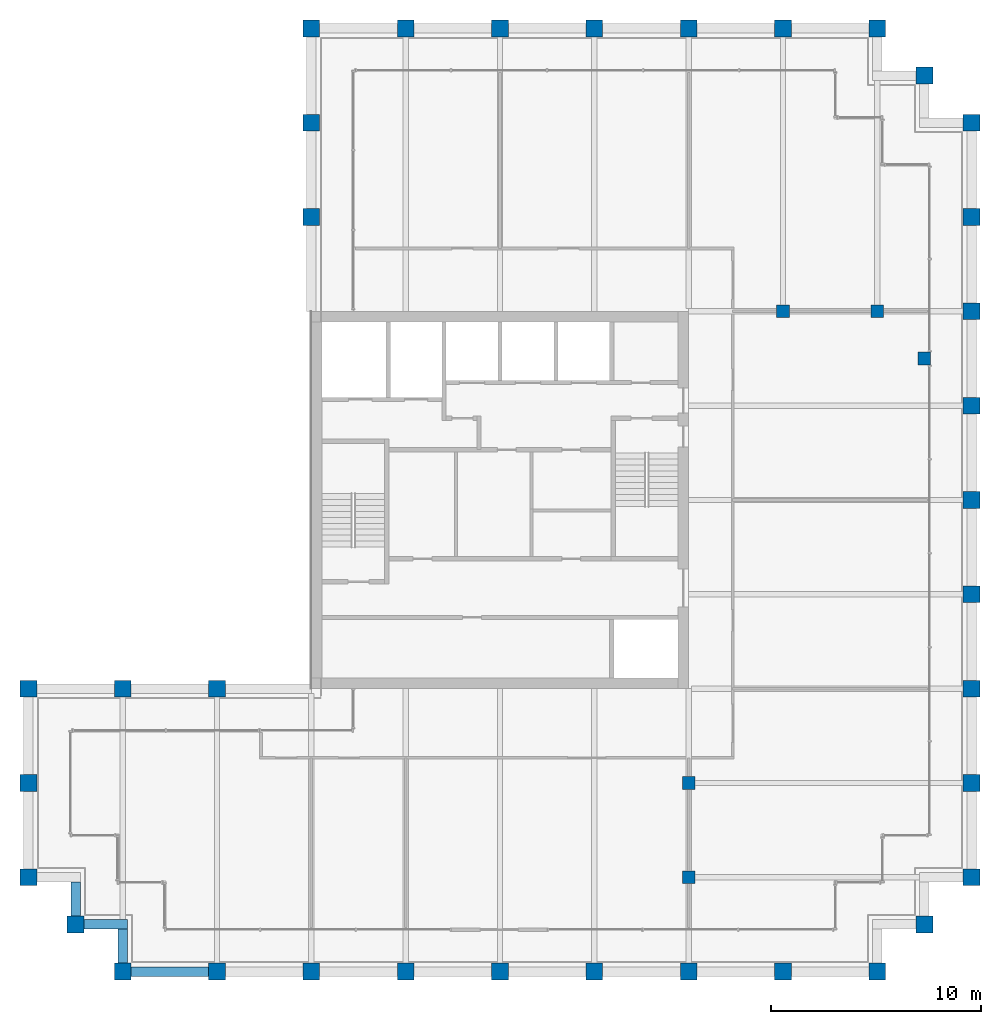
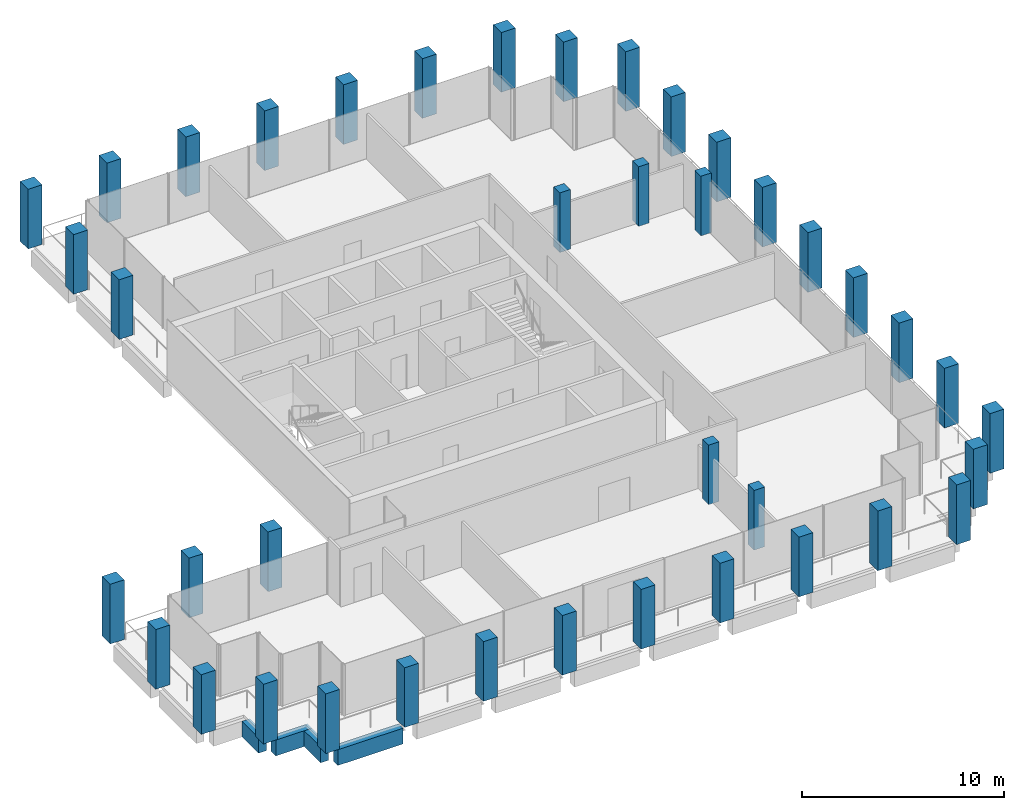
# One storey, part 1 of 30: 40 columns, 4 beams.
"""IFC4 building model written with IfcOpenShell, lengths in metres."""

from ifc_helpers import new_model, si_unit, direction, frame, origin, origin_2d, place, context, subcontext, project, spatial, rectangle, extrude, material, material_profile, profile_set, type_object, element, save


model = new_model("IFC4")

# Units and contexts
model_context = context("Model", 3, precision=1e-05, world=origin(), true_north=direction((0.0, 1.0)))
body_context = subcontext(model_context, "Body", "Model", "MODEL_VIEW")
ifc_project = project(units=[si_unit("LENGTHUNIT", "METRE"), si_unit("AREAUNIT", "SQUARE_METRE"), si_unit("VOLUMEUNIT", "CUBIC_METRE"), si_unit("PLANEANGLEUNIT", "RADIAN"), si_unit("MASSUNIT", "GRAM", prefix="KILO")], contexts=[model_context])

# Site, building, storey
site_placement = place(None, origin())
site = spatial("IfcSite", under=ifc_project, at=site_placement, CompositionType="ELEMENT")
building_placement = place(site_placement, origin())
building = spatial("IfcBuilding", under=site, at=building_placement, Name="Altepetl Exchange Towers", CompositionType="ELEMENT")
storey_placement = place(building_placement, frame((0.0, 0.0, 231.60009765625)))
storey = spatial("IfcBuildingStorey", under=building, at=storey_placement, Name="L59", CompositionType="ELEMENT", Elevation=231.60009765625)

# Columns
ifc_material_1 = material(Name="Concrete C70/85", Category="concrete")
ifc_material_profile_1 = material_profile(ifc_material_1, rectangle(XDim=0.60009765625, YDim=0.60009765625, at=origin_2d()), Name="600 x 600")
ifc_profile_set_1 = profile_set([ifc_material_profile_1], Name="Concrete C70/85")
column_type_1 = type_object("IfcColumnType", Name="Interior column 600", PredefinedType="COLUMN", material=ifc_profile_set_1)
for number, where, name in (
    (1, (58.5, 31.5, 0.0), "col:A:L59:035"),
    (2, (58.5, 36.0, 0.0), "col:A:L59:036"),
    (3, (63.0, 58.5, 0.0), "col:A:L59:037"),
    (4, (67.5, 58.5, 0.0), "col:A:L59:038"),
    (5, (69.75, 56.25, 0.0), "col:A:L59:039"),
):
    element("IfcColumn", number, at=place(storey_placement, frame(where)), inside=storey, type_object=column_type_1, Name=name, PredefinedType="COLUMN", context=body_context, shape_type="SweptSolid", body=[
        extrude(rectangle(XDim=0.60009765625, YDim=0.60009765625, at=origin_2d()), origin(), (0.0, 0.0, 1.0), 3.599853515625),
    ])
ifc_material_2 = material(Name="Concrete C70/85 precast with cantera amarilla facing", Category="concrete")
ifc_material_profile_2 = material_profile(ifc_material_2, rectangle(XDim=0.800048828125, YDim=0.800048828125, at=origin_2d()), Name="800 x 800")
ifc_profile_set_2 = profile_set([ifc_material_profile_2], Name="Concrete C70/85 precast with cantera amarilla facing")
column_type_2 = type_object("IfcColumnType", Name="Perimeter column 800 cantera amarilla", PredefinedType="COLUMN", material=ifc_profile_set_2)
for number, where, name in (
    (6, (58.5, 27.0, 0.0), "col:A:L59:006"),
    (7, (63.0, 27.0, 0.0), "col:A:L59:007"),
    (8, (67.5, 27.0, 0.0), "col:A:L59:008"),
    (9, (69.75, 29.25, 0.0), "col:A:L59:009"),
    (10, (72.0, 31.5, 0.0), "col:A:L59:010"),
    (11, (72.0, 36.0, 0.0), "col:A:L59:011"),
    (12, (72.0, 40.5, 0.0), "col:A:L59:012"),
    (13, (72.0, 45.0, 0.0), "col:A:L59:013"),
    (14, (72.0, 49.5, 0.0), "col:A:L59:014"),
    (15, (72.0, 54.0, 0.0), "col:A:L59:015"),
):
    element("IfcColumn", number, at=place(storey_placement, frame(where)), inside=storey, type_object=column_type_2, Name=name, PredefinedType="COLUMN", context=body_context, shape_type="SweptSolid", body=[
        extrude(rectangle(XDim=0.800048828125, YDim=0.800048828125, at=origin_2d()), origin(), (0.0, 0.0, 1.0), 3.599853515625),
    ])
ifc_material_3 = material(Name="Concrete C70/85 precast with cantera blanca facing", Category="concrete")
ifc_material_profile_3 = material_profile(ifc_material_3, rectangle(XDim=0.800048828125, YDim=0.800048828125, at=origin_2d()), Name="800 x 800")
ifc_profile_set_3 = profile_set([ifc_material_profile_3], Name="Concrete C70/85 precast with cantera blanca facing")
column_type_3 = type_object("IfcColumnType", Name="Perimeter column 800 cantera blanca", PredefinedType="COLUMN", material=ifc_profile_set_3)
for number, where, name in (
    (16, (31.5, 27.0, 0.0), "col:A:L59:000"),
    (17, (36.0, 27.0, 0.0), "col:A:L59:001"),
    (18, (40.5, 27.0, 0.0), "col:A:L59:002"),
    (19, (45.0, 27.0, 0.0), "col:A:L59:003"),
    (20, (49.5, 27.0, 0.0), "col:A:L59:004"),
    (21, (54.0, 27.0, 0.0), "col:A:L59:005"),
    (22, (27.0, 36.0, 0.0), "col:A:L59:032"),
    (23, (27.0, 31.5, 0.0), "col:A:L59:033"),
    (24, (29.25, 29.25, 0.0), "col:A:L59:034"),
):
    element("IfcColumn", number, at=place(storey_placement, frame(where)), inside=storey, type_object=column_type_3, Name=name, PredefinedType="COLUMN", context=body_context, shape_type="SweptSolid", body=[
        extrude(rectangle(XDim=0.800048828125, YDim=0.800048828125, at=origin_2d()), origin(), (0.0, 0.0, 1.0), 3.599853515625),
    ])
ifc_material_4 = material(Name="Concrete C70/85 precast with cantera rosa facing", Category="concrete")
ifc_material_profile_4 = material_profile(ifc_material_4, rectangle(XDim=0.800048828125, YDim=0.800048828125, at=origin_2d()), Name="800 x 800")
ifc_profile_set_4 = profile_set([ifc_material_profile_4], Name="Concrete C70/85 precast with cantera rosa facing")
column_type_4 = type_object("IfcColumnType", Name="Perimeter column 800 cantera rosa", PredefinedType="COLUMN", material=ifc_profile_set_4)
for number, where, name in (
    (25, (72.0, 58.5, 0.0), "col:A:L59:016"),
    (26, (72.0, 63.0, 0.0), "col:A:L59:017"),
    (27, (72.0, 67.5, 0.0), "col:A:L59:018"),
    (28, (69.75, 69.75, 0.0), "col:A:L59:019"),
    (29, (67.5, 72.0, 0.0), "col:A:L59:020"),
    (30, (63.0, 72.0, 0.0), "col:A:L59:021"),
    (31, (58.5, 72.0, 0.0), "col:A:L59:022"),
    (32, (54.0, 72.0, 0.0), "col:A:L59:023"),
    (33, (49.5, 72.0, 0.0), "col:A:L59:024"),
    (34, (45.0, 72.0, 0.0), "col:A:L59:025"),
):
    element("IfcColumn", number, at=place(storey_placement, frame(where)), inside=storey, type_object=column_type_4, Name=name, PredefinedType="COLUMN", context=body_context, shape_type="SweptSolid", body=[
        extrude(rectangle(XDim=0.800048828125, YDim=0.800048828125, at=origin_2d()), origin(), (0.0, 0.0, 1.0), 3.599853515625),
    ])
ifc_material_5 = material(Name="Concrete C70/85 precast with tezontle facing", Category="concrete")
ifc_material_profile_5 = material_profile(ifc_material_5, rectangle(XDim=0.800048828125, YDim=0.800048828125, at=origin_2d()), Name="800 x 800")
ifc_profile_set_5 = profile_set([ifc_material_profile_5], Name="Concrete C70/85 precast with tezontle facing")
column_type_5 = type_object("IfcColumnType", Name="Perimeter column 800 tezontle", PredefinedType="COLUMN", material=ifc_profile_set_5)
for number, where, name in (
    (35, (40.5, 72.0, 0.0), "col:A:L59:026"),
    (36, (40.5, 67.5, 0.0), "col:A:L59:027"),
    (37, (40.5, 63.0, 0.0), "col:A:L59:028"),
    (38, (36.0, 40.5, 0.0), "col:A:L59:029"),
    (39, (31.5, 40.5, 0.0), "col:A:L59:030"),
    (40, (27.0, 40.5, 0.0), "col:A:L59:031"),
):
    element("IfcColumn", number, at=place(storey_placement, frame(where)), inside=storey, type_object=column_type_5, Name=name, PredefinedType="COLUMN", context=body_context, shape_type="SweptSolid", body=[
        extrude(rectangle(XDim=0.800048828125, YDim=0.800048828125, at=origin_2d()), origin(), (0.0, 0.0, 1.0), 3.599853515625),
    ])

# Beams
ifc_material_6 = material(Name="Concrete C50/60 precast with cantera blanca facing", Category="concrete")
ifc_material_profile_6 = material_profile(ifc_material_6, rectangle(XDim=0.449951171875, YDim=0.949951171875, at=origin_2d()), Name="450 x 950")
ifc_profile_set_6 = profile_set([ifc_material_profile_6], Name="Concrete C50/60 precast with cantera blanca facing")
beam_type = type_object("IfcBeamType", Name="Spandrel beam 450x950 cantera blanca", PredefinedType="SPANDREL", material=ifc_profile_set_6)
beam_1_placement = place(storey_placement, frame((31.89990234375, 27.0, -0.625), z_axis=(1.0, 0.0, 0.0), x_axis=(0.0, 1.0, 0.0)))
element("IfcBeam", 41, at=beam_1_placement, inside=storey, type_object=beam_type, Name="sp:A:L59:000", PredefinedType="SPANDREL", context=body_context, shape_type="SweptSolid", body=[
    extrude(rectangle(XDim=0.449951171875, YDim=0.949951171875, at=origin_2d()), origin(), (0.0, 0.0, 1.0), 3.7001953125),
])
beam_2_placement = place(storey_placement, frame((29.25, 31.27490234375, -0.625), z_axis=(0.0, -1.0, 0.0), x_axis=(1.0, 0.0, 0.0)))
element("IfcBeam", 42, at=beam_2_placement, inside=storey, type_object=beam_type, Name="sp:A:L59:039", PredefinedType="SPANDREL", context=body_context, shape_type="SweptSolid", body=[
    extrude(rectangle(XDim=0.449951171875, YDim=0.949951171875, at=origin_2d()), origin(), (0.0, 0.0, 1.0), 1.625),
])
beam_3_placement = place(storey_placement, frame((29.64990234375, 29.25, -0.625), z_axis=(1.0, 0.0, 0.0), x_axis=(0.0, 1.0, 0.0)))
element("IfcBeam", 43, at=beam_3_placement, inside=storey, type_object=beam_type, Name="sp:A:L59:040", PredefinedType="SPANDREL", context=body_context, shape_type="SweptSolid", body=[
    extrude(rectangle(XDim=0.449951171875, YDim=0.949951171875, at=origin_2d()), origin(), (0.0, 0.0, 1.0), 2.0751953125),
])
beam_4_placement = place(storey_placement, frame((31.5, 29.02490234375, -0.625), z_axis=(0.0, -1.0, 0.0), x_axis=(1.0, 0.0, 0.0)))
element("IfcBeam", 44, at=beam_4_placement, inside=storey, type_object=beam_type, Name="sp:A:L59:041", PredefinedType="SPANDREL", context=body_context, shape_type="SweptSolid", body=[
    extrude(rectangle(XDim=0.449951171875, YDim=0.949951171875, at=origin_2d()), origin(), (0.0, 0.0, 1.0), 1.625),
])

save(model, "model.ifc")
